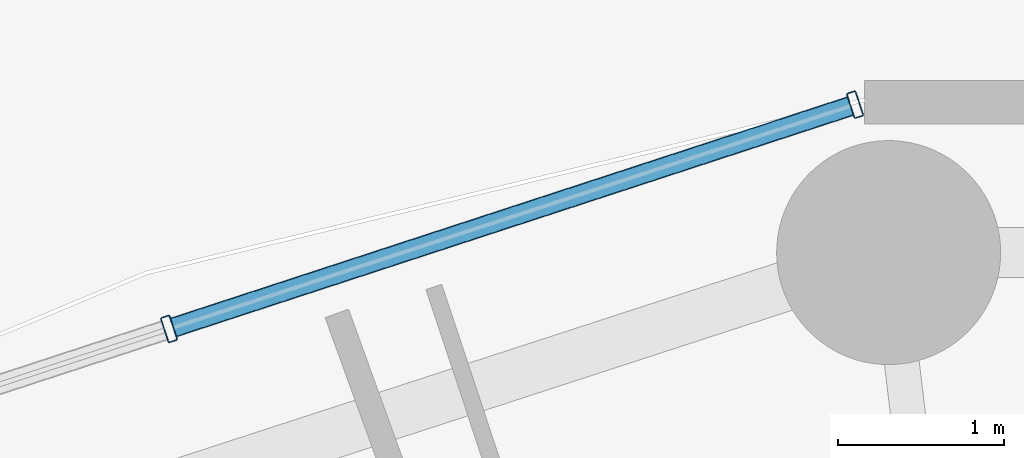
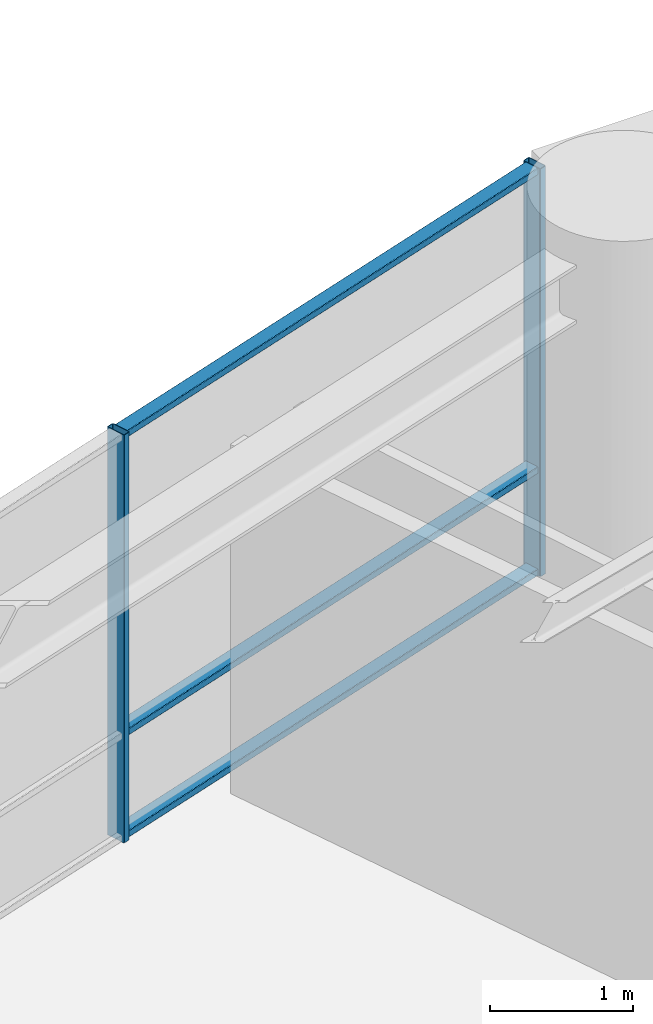
# One storey, part 19 of 33: 5 members, 1 element without a shape of its own.
"""IFC4 building model written with IfcOpenShell, lengths in metres."""

import ifcopenshell
import ifcopenshell.guid

model = None  # the IFC model being written
_history = None  # IfcOwnerHistory: only IFC2X3 demands one
_inside = {}  # id of a spatial element -> (the spatial element, [elements in it])
_under = {}  # id of a project, library or spatial element -> (it, [spatial elements below it])
_declared = {}  # id of a project -> (the project, [libraries it declares])
_typed = {}  # id of a type object -> (the type object, [elements of that type])
_made_of = {}  # id of a material, layer set ... -> (it, [elements and type objects made of it])


def new_model(schema):
    """Start an empty IFC model of exactly this schema.

    Asked for "IFC4X3", IfcOpenShell would pick the latest addendum, in which some entities
    have other attributes; the version numbers below select the first issue.
    IFC2X3 requires an IfcOwnerHistory on every rooted entity: one is made here for all.
    """
    global model, _history
    if schema == "IFC4X3":
        model = ifcopenshell.file(schema_version=(4, 3, 0, 0))
    else:
        model = ifcopenshell.file(schema=schema)
    _inside.clear()
    _under.clear()
    _declared.clear()
    _typed.clear()
    _made_of.clear()
    _history = None
    if model.schema == "IFC2X3":
        org = make("IfcOrganization", Name="unknown")
        user = make(
            "IfcPersonAndOrganization",
            ThePerson=make("IfcPerson", FamilyName="unknown"),
            TheOrganization=org,
        )
        app = make(
            "IfcApplication",
            ApplicationDeveloper=org,
            Version="unknown",
            ApplicationFullName="unknown",
            ApplicationIdentifier="unknown",
        )
        _history = make(
            "IfcOwnerHistory",
            OwningUser=user,
            OwningApplication=app,
            ChangeAction="ADDED",
            CreationDate=0,
        )
    return model


def make(cls, **values):
    """One entity of the class cls with the attributes given. An attribute that is None is left unset."""
    return model.create_entity(
        cls, **{name: value for name, value in values.items() if value is not None}
    )


def rooted(cls, **values):
    """An entity with a GlobalId (a new one), such as an element, a storey or a relation."""
    return make(cls, GlobalId=ifcopenshell.guid.new(), OwnerHistory=_history, **values)


def si_unit(unit_type, name, prefix=None):
    """IfcSIUnit, for example si_unit("LENGTHUNIT", "METRE", prefix="MILLI")."""
    return make("IfcSIUnit", UnitType=unit_type, Prefix=prefix, Name=name)


def assignment(units):
    """IfcUnitAssignment: the units of a project."""
    return None if units is None else make("IfcUnitAssignment", Units=units)


def point(xyz):
    """IfcCartesianPoint."""
    return None if xyz is None else make("IfcCartesianPoint", Coordinates=xyz)


def direction(xyz):
    """IfcDirection."""
    return None if xyz is None else make("IfcDirection", DirectionRatios=xyz)


def frame(location, z_axis=None, x_axis=None):
    """IfcAxis2Placement3D, a coordinate frame: its origin and axes. An axis left out is left unset."""
    return make(
        "IfcAxis2Placement3D",
        Location=point(location),
        Axis=direction(z_axis),
        RefDirection=direction(x_axis),
    )


def frame_2d(location, x_axis=None):
    """IfcAxis2Placement2D, a coordinate frame in the plane: its origin and x axis."""
    return make(
        "IfcAxis2Placement2D", Location=point(location), RefDirection=direction(x_axis)
    )


def origin():
    """The frame at (0, 0, 0) with its axes left unset."""
    return frame((0.0, 0.0, 0.0))


def origin_2d():
    """The frame at (0, 0) in the plane with its x axis left unset."""
    return frame_2d((0.0, 0.0))


def place(relative_to, where):
    """IfcLocalPlacement: puts the frame where relative to a parent placement (None: the world)."""
    return make(
        "IfcLocalPlacement", PlacementRelTo=relative_to, RelativePlacement=where
    )


def context(
    kind, dimensions, precision=None, world=None, true_north=None, identifier=None
):
    """IfcGeometricRepresentationContext, for example the 3D "Model" context."""
    return make(
        "IfcGeometricRepresentationContext",
        ContextIdentifier=identifier,
        ContextType=kind,
        CoordinateSpaceDimension=dimensions,
        Precision=precision,
        WorldCoordinateSystem=world,
        TrueNorth=true_north,
    )


def subcontext(parent, identifier, kind, view, scale=None):
    """IfcGeometricRepresentationSubContext, for example "Body" below "Model"."""
    return make(
        "IfcGeometricRepresentationSubContext",
        ContextIdentifier=identifier,
        ContextType=kind,
        ParentContext=parent,
        TargetScale=scale,
        TargetView=view,
    )


def project(units=None, contexts=None):
    """IfcProject with its units and contexts."""
    return rooted(
        "IfcProject",
        Name="project",
        RepresentationContexts=contexts,
        UnitsInContext=assignment(units),
    )


def spatial(cls, under=None, at=None, **own):
    """A site, building, storey or space (cls), placed at a placement, below another one or the project."""
    s = rooted(cls, ObjectPlacement=at, **own)
    if under is not None:
        _under.setdefault(under.id(), (under, []))[1].append(s)
    return s


def profile(cls, at=None, kind="AREA", **sizes):
    """A parametric profile (cls). Its sizes go by their IFC names, for example OverallWidth=200.0."""
    return make(cls, ProfileType=kind, Position=at, **sizes)


def hollow_rectangle(**sizes):
    """IfcRectangleHollowProfileDef."""
    return profile("IfcRectangleHollowProfileDef", **sizes)


def extrude(swept, where, along, depth):
    """IfcExtrudedAreaSolid: the profile swept, set in the frame where, extruded along a direction by depth."""
    return make(
        "IfcExtrudedAreaSolid",
        SweptArea=swept,
        Position=where,
        ExtrudedDirection=direction(along),
        Depth=depth,
    )


def shape(context_of_items, identifier, shape_type, items):
    """IfcShapeRepresentation: the items that make up one representation, for example the "Body"."""
    return make(
        "IfcShapeRepresentation",
        ContextOfItems=context_of_items,
        RepresentationIdentifier=identifier,
        RepresentationType=shape_type,
        Items=items,
    )


def material(Name=None, Category=None):
    """IfcMaterial."""
    return make("IfcMaterial", Name=Name, Category=Category)


def layer(
    of_material, thickness, ventilated=None, Name=None, Category=None, Priority=None
):
    """IfcMaterialLayer: one layer of a wall or slab, of a material (None: an air gap)."""
    return make(
        "IfcMaterialLayer",
        Material=of_material,
        LayerThickness=thickness,
        IsVentilated=ventilated,
        Name=Name,
        Category=Category,
        Priority=Priority,
    )


def layer_set(layers, Name=None):
    """IfcMaterialLayerSet."""
    return make("IfcMaterialLayerSet", MaterialLayers=layers, LayerSetName=Name)


def material_profile(
    of_material, cross_section, Name=None, Category=None, Priority=None
):
    """IfcMaterialProfile: a cross section and its material."""
    return make(
        "IfcMaterialProfile",
        Name=Name,
        Material=of_material,
        Profile=cross_section,
        Priority=Priority,
        Category=Category,
    )


def profile_set(profiles, Name=None, composite=None):
    """IfcMaterialProfileSet."""
    return make(
        "IfcMaterialProfileSet",
        Name=Name,
        MaterialProfiles=profiles,
        CompositeProfile=composite,
    )


def made_of(thing, what):
    """Note that an element or type object is made of a material, layer set ...; save() writes the relation."""
    if what is not None:
        _made_of.setdefault(what.id(), (what, []))[1].append(thing)
    return thing


def type_object(cls, material=None, **own):
    """A type object (cls), such as IfcWallType, which elements share."""
    return made_of(rooted(cls, **own), material)


def element(
    cls,
    number,
    at=None,
    inside=None,
    cuts=None,
    type_object=None,
    material=None,
    context=None,
    identifier="Body",
    shape_type=None,
    held_by="IfcProductDefinitionShape",
    body=None,
    shapes=None,
    **own,
):
    """One element of the class cls, such as IfcWall. Its Tag is "e" and its number.

    at: its placement. inside: the storey or other place that contains it. cuts: it is an
    opening in that element (IfcRelVoidsElement). A single representation is given by context,
    identifier, shape_type and body (its items); several are given by shapes. held_by: the class
    of the entity that holds the representations. save() writes the other relations.
    """
    e = rooted(cls, Tag="e%d" % number, ObjectPlacement=at, **own)
    if body is not None:
        shapes = [shape(context, identifier, shape_type, body)]
    if shapes is not None:
        e.Representation = make(held_by, Representations=shapes)
    if inside is not None:
        _inside.setdefault(inside.id(), (inside, []))[1].append(e)
    if cuts is not None:
        rooted(
            "IfcRelVoidsElement", RelatingBuildingElement=cuts, RelatedOpeningElement=e
        )
    if type_object is not None:
        _typed.setdefault(type_object.id(), (type_object, []))[1].append(e)
    return made_of(e, material)


def aggregate(whole, parts):
    """IfcRelAggregates: a whole, such as a stair, and the parts it consists of."""
    return rooted("IfcRelAggregates", RelatingObject=whole, RelatedObjects=parts)


def save(model, path):
    """Write the relations noted so far, then the file.

    IfcRelAggregates (storeys below a building ...), IfcRelContainedInSpatialStructure (elements
    in a storey), IfcRelDefinesByType, IfcRelAssociatesMaterial and IfcRelDeclares: one each for
    every whole, place, type object, material and project.
    """
    for whole, parts in _under.values():
        aggregate(whole, parts)
    for where, things in _inside.values():
        rooted(
            "IfcRelContainedInSpatialStructure",
            RelatedElements=things,
            RelatingStructure=where,
        )
    for kind, things in _typed.values():
        rooted("IfcRelDefinesByType", RelatedObjects=things, RelatingType=kind)
    for what, things in _made_of.values():
        rooted("IfcRelAssociatesMaterial", RelatedObjects=things, RelatingMaterial=what)
    for by, libraries in _declared.values():
        rooted("IfcRelDeclares", RelatingContext=by, RelatedDefinitions=libraries)
    model.write(path)


model = new_model("IFC4")

# Units and contexts
model_context = context("Model", 3, precision=1e-05, world=origin(), true_north=direction((0.0, 1.0)))
body_context = subcontext(model_context, "Body", "Model", "MODEL_VIEW")
ifc_project = project(units=[si_unit("LENGTHUNIT", "METRE"), si_unit("AREAUNIT", "SQUARE_METRE"), si_unit("VOLUMEUNIT", "CUBIC_METRE"), si_unit("PLANEANGLEUNIT", "RADIAN"), si_unit("MASSUNIT", "GRAM", prefix="KILO")], contexts=[model_context])

# Site, building, storey
site_placement = place(None, origin())
site = spatial("IfcSite", under=ifc_project, at=site_placement, CompositionType="ELEMENT")
building_placement = place(site_placement, origin())
building = spatial("IfcBuilding", under=site, at=building_placement, Name="Kelanora Arch Commons", CompositionType="ELEMENT")
storey_placement = place(building_placement, frame((0.0, 0.0, 80.10009765625)))
storey = spatial("IfcBuildingStorey", under=building, at=storey_placement, Name="L20", CompositionType="ELEMENT", Elevation=80.10009765625)

# Curtain wall, members
ifc_material_1 = material(Name="Terracotta ceramic-fritted low-E glass and aluminium", Category="masonry")
ifc_layer = layer(ifc_material_1, 0.159912109375)
ifc_layer_set = layer_set([ifc_layer], Name="Terracotta ceramic-fritted low-E glass and aluminium")
curtain_wall_type = type_object("IfcCurtainWallType", Name="CW-SYS-01", PredefinedType="NOTDEFINED", material=ifc_layer_set)
curtain_wall_placement = place(storey_placement, origin())
curtain_wall = element("IfcCurtainWall", 1, at=curtain_wall_placement, inside=storey, type_object=curtain_wall_type, Name="Unitised Curtain Wall L20-B05", PredefinedType="NOTDEFINED")
ifc_material_2 = material(Name="Powder-coated aluminium terracotta", Category="masonry")
ifc_material_profile_1 = material_profile(ifc_material_2, hollow_rectangle(XDim=0.159912109375, YDim=0.06005859375, WallThickness=0.0048828125, InnerFilletRadius=0.0048828125, OuterFilletRadius=0.010009765625, at=origin_2d()), Name="CWM160x60")
ifc_profile_set_1 = profile_set([ifc_material_profile_1], Name="Powder-coated aluminium terracotta")
member_type_1 = type_object("IfcMemberType", Name="CWM-STD", PredefinedType="MULLION", material=ifc_profile_set_1)
member_1_placement = place(storey_placement, frame((69.51171875, 80.636474609375, 0.0), z_axis=(0.0, 0.0, 1.0), x_axis=(0.31080470294, -0.950473795867, 0.0)))
member_1 = element("IfcMember", 2, at=member_1_placement, type_object=member_type_1, Name="CW-01 mullion 1", PredefinedType="MULLION", context=body_context, shape_type="SweptSolid", body=[
    extrude(hollow_rectangle(XDim=0.159912109375, YDim=0.06005859375, WallThickness=0.0048828125, InnerFilletRadius=0.0048828125, OuterFilletRadius=0.010009765625, at=origin_2d()), origin(), (0.0, 0.0, 1.0), 3.474853515625),
])
member_2_placement = place(storey_placement, frame((65.377197265625, 79.28466796875, 0.0), z_axis=(0.0, 0.0, 1.0), x_axis=(0.31080470294, -0.950473795867, 0.0)))
member_2 = element("IfcMember", 3, at=member_2_placement, type_object=member_type_1, Name="CW-01 mullion 2", PredefinedType="MULLION", context=body_context, shape_type="SweptSolid", body=[
    extrude(hollow_rectangle(XDim=0.159912109375, YDim=0.06005859375, WallThickness=0.0048828125, InnerFilletRadius=0.0048828125, OuterFilletRadius=0.010009765625, at=origin_2d()), origin(), (0.0, 0.0, 1.0), 3.474853515625),
])
ifc_material_profile_2 = material_profile(ifc_material_2, hollow_rectangle(XDim=0.1201171875, YDim=0.06005859375, WallThickness=0.0048828125, InnerFilletRadius=0.0048828125, OuterFilletRadius=0.010009765625, at=origin_2d()), Name="CWT120x60")
ifc_profile_set_2 = profile_set([ifc_material_profile_2], Name="Powder-coated aluminium terracotta")
member_type_2 = type_object("IfcMemberType", Name="CWT-STD", PredefinedType="USERDEFINED", material=ifc_profile_set_2)
member_3_placement = place(storey_placement, frame((69.483154296875, 80.627197265625, 0.02978515625), z_axis=(-0.950477544745, -0.31079323824, 0.0), x_axis=(0.31079323824, -0.950477544745, 0.0)))
member_3 = element("IfcMember", 4, at=member_3_placement, type_object=member_type_2, Name="CW-01 transom 1.1", ObjectType="TRANSOM", PredefinedType="USERDEFINED", context=body_context, shape_type="SweptSolid", body=[
    extrude(hollow_rectangle(XDim=0.1201171875, YDim=0.06005859375, WallThickness=0.0048828125, InnerFilletRadius=0.0048828125, OuterFilletRadius=0.010009765625, at=origin_2d()), origin(), (0.0, 0.0, 1.0), 4.289794921875),
])
member_4_placement = place(storey_placement, frame((69.483154296875, 80.627197265625, 0.89990234375), z_axis=(-0.950477544745, -0.31079323824, 0.0), x_axis=(0.31079323824, -0.950477544745, 0.0)))
member_4 = element("IfcMember", 5, at=member_4_placement, type_object=member_type_2, Name="CW-01 transom 1.2", ObjectType="TRANSOM", PredefinedType="USERDEFINED", context=body_context, shape_type="SweptSolid", body=[
    extrude(hollow_rectangle(XDim=0.1201171875, YDim=0.06005859375, WallThickness=0.0048828125, InnerFilletRadius=0.0048828125, OuterFilletRadius=0.010009765625, at=origin_2d()), origin(), (0.0, 0.0, 1.0), 4.289794921875),
])
member_5_placement = place(storey_placement, frame((69.483154296875, 80.627197265625, 3.44482421875), z_axis=(-0.950477544745, -0.31079323824, 0.0), x_axis=(0.31079323824, -0.950477544745, 0.0)))
member_5 = element("IfcMember", 6, at=member_5_placement, type_object=member_type_2, Name="CW-01 transom 1.3", ObjectType="TRANSOM", PredefinedType="USERDEFINED", context=body_context, shape_type="SweptSolid", body=[
    extrude(hollow_rectangle(XDim=0.1201171875, YDim=0.06005859375, WallThickness=0.0048828125, InnerFilletRadius=0.0048828125, OuterFilletRadius=0.010009765625, at=origin_2d()), origin(), (0.0, 0.0, 1.0), 4.289794921875),
])
aggregate(curtain_wall, [member_1, member_2, member_3, member_4, member_5])

save(model, "model.ifc")
